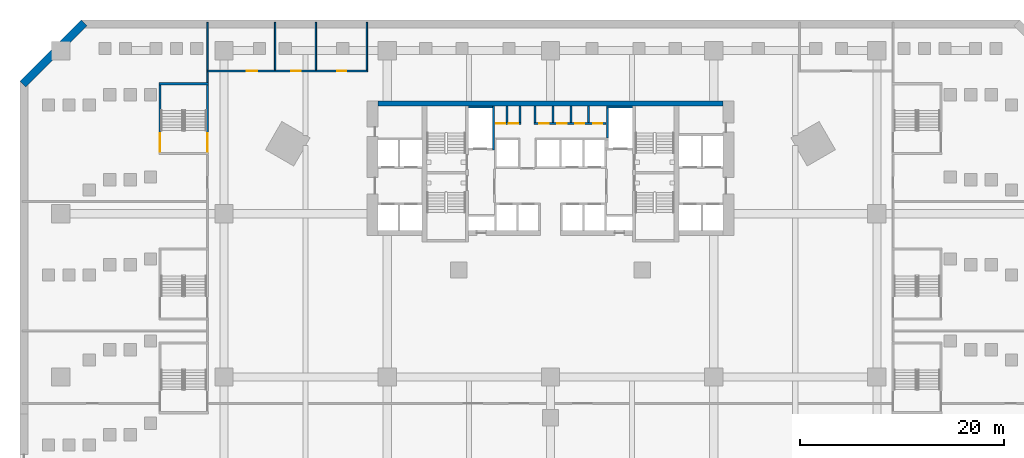
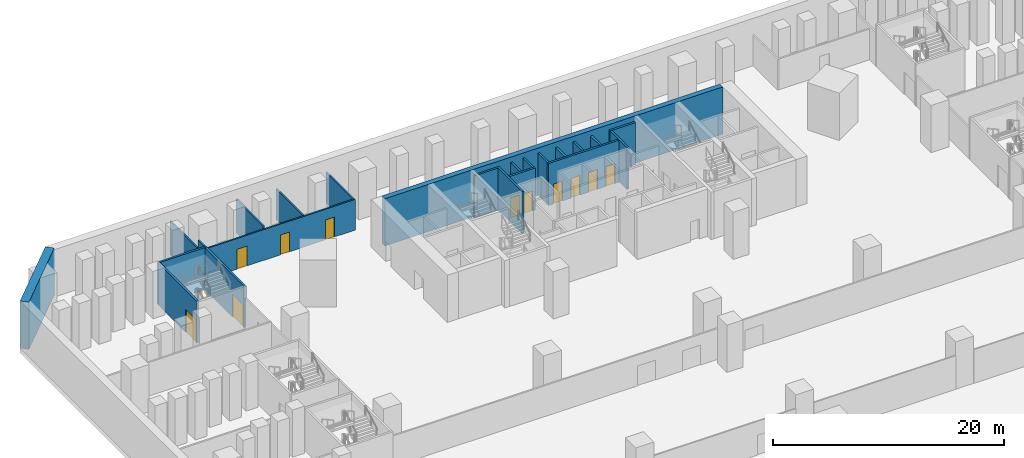
# One storey, part 10 of 24: 23 walls, 11 doors, 11 openings.
"""IFC4 building model written with IfcOpenShell, lengths in metres."""

from ifc_helpers import new_model, si_unit, direction, frame, frame_2d, origin, place, context, subcontext, project, spatial, rectangle, extrude, material, layer, layer_set, type_object, element, fill, save


model = new_model("IFC4")

# Units and contexts
model_context = context("Model", 3, precision=1e-05, world=origin(), true_north=direction((0.0, 1.0)))
body_context = subcontext(model_context, "Body", "Model", "MODEL_VIEW")
ifc_project = project(units=[si_unit("LENGTHUNIT", "METRE"), si_unit("AREAUNIT", "SQUARE_METRE"), si_unit("VOLUMEUNIT", "CUBIC_METRE"), si_unit("PLANEANGLEUNIT", "RADIAN"), si_unit("MASSUNIT", "GRAM", prefix="KILO")], contexts=[model_context])

# Site, building, storey
site_placement = place(None, origin())
site = spatial("IfcSite", under=ifc_project, at=site_placement, CompositionType="ELEMENT")
building_placement = place(site_placement, origin())
building = spatial("IfcBuilding", under=site, at=building_placement, Name="Calabash Gate Tower", CompositionType="ELEMENT")
storey_placement = place(building_placement, frame((0.0, 0.0, -5.0)))
storey = spatial("IfcBuildingStorey", under=building, at=storey_placement, Name="B1", CompositionType="ELEMENT", Elevation=-5.0)

# Walls
ifc_material_1 = material(Name="Gypsum board on steel studs, mineral wool", Category="steel")
ifc_layer_1 = layer(ifc_material_1, 0.199951171875)
ifc_layer_set_1 = layer_set([ifc_layer_1], Name="Core partition 200 gypsum board")
wall_type_1 = type_object("IfcWallType", Name="Core partition 200 gypsum board", PredefinedType="PARTITIONING", material=ifc_layer_set_1)
for number, where, z_axis, x_axis, name in (
    (1, (-4.25, 16.95263671875, 0.0), (0.0, 0.0, 1.0), (0.0, 1.0, 0.0), "Core partition"),
    (2, (-3.0, 16.95263671875, 0.0), (0.0, 0.0, 1.0), (0.0, 1.0, 0.0), "Core partition"),
    (3, (-1.5, 16.95263671875, 0.0), (0.0, 0.0, 1.0), (0.0, 1.0, 0.0), "Core partition"),
    (4, (0.25, 16.95263671875, 0.0), (0.0, 0.0, 1.0), (0.0, 1.0, 0.0), "Core partition"),
    (5, (2.0, 16.95263671875, 0.0), (0.0, 0.0, 1.0), (0.0, 1.0, 0.0), "Core partition"),
    (6, (3.75, 16.95263671875, 0.0), (0.0, 0.0, 1.0), (0.0, 1.0, 0.0), "Core partition"),
):
    element("IfcWall", number, at=place(storey_placement, frame(where, z_axis=z_axis, x_axis=x_axis)), inside=storey, type_object=wall_type_1, Name=name, PredefinedType="PARTITIONING", context=body_context, shape_type="SweptSolid", body=[
        extrude(rectangle(XDim=1.599853515625, YDim=0.199951171875, at=frame_2d((0.7998046875, 0.0))), origin(), (0.0, 0.0, 1.0), 4.449951171875),
    ])
ifc_material_2 = material(Name="Concrete C60/75", Category="concrete")
ifc_layer_2 = layer(ifc_material_2, 0.5)
ifc_layer_set_2 = layer_set([ifc_layer_2], Name="Core wall 500 Concrete C60/75")
wall_type_2 = type_object("IfcWallType", Name="Core wall 500 Concrete C60/75", PredefinedType="SHEAR", material=ifc_layer_set_2)
wall_1_placement = place(storey_placement, frame((-16.89990234375, 18.802490234375, 0.0), z_axis=(0.0, 0.0, 1.0), x_axis=(1.0, 0.0, 0.0)))
element("IfcWall", 7, at=wall_1_placement, inside=storey, type_object=wall_type_2, Name="Core wall B-N B1", PredefinedType="SHEAR", context=body_context, shape_type="SweptSolid", body=[
    extrude(rectangle(XDim=33.7998046875, YDim=0.5, at=frame_2d((16.89990234375, 0.0))), origin(), (0.0, 0.0, 1.0), 5.0),
])
ifc_material_3 = material(Name="Concrete C60/75", Category="concrete")
ifc_layer_3 = layer(ifc_material_3, 0.800048828125)
ifc_layer_set_3 = layer_set([ifc_layer_3], Name="Diaphragm wall 800 Concrete C60/75")
wall_type_3 = type_object("IfcWallType", Name="Diaphragm wall 800 Concrete C60/75", PredefinedType="SHEAR", material=ifc_layer_set_3)
wall_2_placement = place(storey_placement, frame((-45.717041015625, 26.717041015625, 0.0), z_axis=(0.0, 0.0, 1.0), x_axis=(-0.707106781187, -0.707106781187, 0.0)))
element("IfcWall", 8, at=wall_2_placement, inside=storey, type_object=wall_type_3, Name="Diaphragm wall B1", PredefinedType="SHEAR", context=body_context, shape_type="SweptSolid", body=[
    extrude(rectangle(XDim=8.4853515625, YDim=0.800048828125, at=frame_2d((4.24267578125, 0.0))), origin(), (0.0, 0.0, 1.0), 5.0),
])
ifc_material_4 = material(Name="Gypsum board on steel studs, mineral wool", Category="steel")
ifc_layer_4 = layer(ifc_material_4, 0.14990234375)
ifc_layer_set_4 = layer_set([ifc_layer_4], Name="Partition 150 gypsum board")
wall_type_4 = type_object("IfcWallType", Name="Partition 150 gypsum board", PredefinedType="PARTITIONING", material=ifc_layer_set_4)
wall_3_placement = place(storey_placement, frame((-33.60009765625, 20.889892578125, 0.0), z_axis=(0.0, 0.0, 1.0), x_axis=(0.0, 1.0, 0.0)))
element("IfcWall", 9, at=wall_3_placement, inside=storey, type_object=wall_type_4, Name="Partition", PredefinedType="PARTITIONING", context=body_context, shape_type="SweptSolid", body=[
    extrude(rectangle(XDim=1.03515625, YDim=0.14990234375, at=frame_2d((0.517578125, 0.0))), origin(), (0.0, 0.0, 1.0), 4.449951171875),
])

# Wall, openings, doors
wall_4_placement = place(storey_placement, frame((-33.675048828125, 22.0, 0.0), z_axis=(0.0, 0.0, 1.0), x_axis=(1.0, 0.0, 0.0)))
wall_4 = element("IfcWall", 10, at=wall_4_placement, inside=storey, type_object=wall_type_4, Name="Partition", PredefinedType="PARTITIONING", context=body_context, shape_type="SweptSolid", body=[
    extrude(rectangle(XDim=15.75, YDim=0.14990234375, at=frame_2d((7.875, 0.0))), origin(), (0.0, 0.0, 1.0), 3.25),
])
opening_1_placement = place(wall_4_placement, frame((8.27490234375, 0.0, 0.0)))
opening_1 = element("IfcOpeningElement", 11, at=opening_1_placement, cuts=wall_4, Name="Opening B1-042", PredefinedType="OPENING", context=body_context, shape_type="SweptSolid", body=[
    extrude(rectangle(XDim=0.89990234375, YDim=2.10009765625, at=frame_2d((0.449951171875, 1.050048828125))), frame((0.0, 0.0849609375, 0.0), z_axis=(0.0, -1.0, 0.0), x_axis=(1.0, 0.0, 0.0)), (0.0, 0.0, 1.0), 0.169921875),
])
opening_2_placement = place(wall_4_placement, frame((12.77490234375, 0.0, 0.0)))
opening_2 = element("IfcOpeningElement", 12, at=opening_2_placement, cuts=wall_4, Name="Opening B1-043", PredefinedType="OPENING", context=body_context, shape_type="SweptSolid", body=[
    extrude(rectangle(XDim=0.89990234375, YDim=2.10009765625, at=frame_2d((0.449951171875, 1.050048828125))), frame((0.0, 0.0849609375, 0.0), z_axis=(0.0, -1.0, 0.0), x_axis=(1.0, 0.0, 0.0)), (0.0, 0.0, 1.0), 0.169921875),
])
opening_3_placement = place(wall_4_placement, frame((3.925048828125, 0.0, 0.0)))
opening_3 = element("IfcOpeningElement", 13, at=opening_3_placement, cuts=wall_4, Name="Opening B1-044", PredefinedType="OPENING", context=body_context, shape_type="SweptSolid", body=[
    extrude(rectangle(XDim=1.0, YDim=2.10009765625, at=frame_2d((0.5, 1.050048828125))), frame((0.0, 0.0849609375, 0.0), z_axis=(0.0, -1.0, 0.0), x_axis=(1.0, 0.0, 0.0)), (0.0, 0.0, 1.0), 0.169921875),
])
ifc_material_5 = material(Name="Steel fire door set with fire-resisting glazing", Category="steel")
door_type_1 = type_object("IfcDoorType", Name="Fire door D11 1000x2100 FD60", OperationType="NOTDEFINED", PredefinedType="DOOR", material=ifc_material_5)
door_1_placement = place(opening_3_placement, origin())
door_1 = element("IfcDoor", 14, at=door_1_placement, inside=storey, type_object=door_type_1, Name="Station Staff Rest Room door", OperationType="SINGLE_SWING_RIGHT", OverallHeight=2.10009765625, OverallWidth=1.0, PredefinedType="DOOR", context=body_context, shape_type="SweptSolid", body=[
    extrude(rectangle(XDim=1.0, YDim=2.10009765625, at=frame_2d((0.5, 1.050048828125))), frame((0.0, 0.02490234375, 0.0), z_axis=(0.0, -1.0, 0.0), x_axis=(1.0, 0.0, 0.0)), (0.0, 0.0, 1.0), 0.050048828125),
])
fill(opening_3, door_1)
ifc_material_6 = material(Name="Steel fire door set with fire-resisting glazing", Category="steel")
door_type_2 = type_object("IfcDoorType", Name="Fire door D13 900x2100 FD30", OperationType="NOTDEFINED", PredefinedType="DOOR", material=ifc_material_6)
door_2_placement = place(opening_1_placement, origin())
door_2 = element("IfcDoor", 15, at=door_2_placement, inside=storey, type_object=door_type_2, Name="Accessible WC door", OperationType="SINGLE_SWING_LEFT", OverallHeight=2.10009765625, OverallWidth=0.89990234375, PredefinedType="DOOR", context=body_context, shape_type="SweptSolid", body=[
    extrude(rectangle(XDim=0.89990234375, YDim=2.10009765625, at=frame_2d((0.449951171875, 1.050048828125))), frame((0.0, 0.02490234375, 0.0), z_axis=(0.0, -1.0, 0.0), x_axis=(1.0, 0.0, 0.0)), (0.0, 0.0, 1.0), 0.050048828125),
])
fill(opening_1, door_2)
door_3_placement = place(opening_2_placement, origin())
door_3 = element("IfcDoor", 16, at=door_3_placement, inside=storey, type_object=door_type_2, Name="Public WC door", OperationType="SINGLE_SWING_RIGHT", OverallHeight=2.10009765625, OverallWidth=0.89990234375, PredefinedType="DOOR", context=body_context, shape_type="SweptSolid", body=[
    extrude(rectangle(XDim=0.89990234375, YDim=2.10009765625, at=frame_2d((0.449951171875, 1.050048828125))), frame((0.0, 0.02490234375, 0.0), z_axis=(0.0, -1.0, 0.0), x_axis=(1.0, 0.0, 0.0)), (0.0, 0.0, 1.0), 0.050048828125),
])
fill(opening_2, door_3)

# Walls
for number, where, z_axis, x_axis, name in (
    (17, (-33.60009765625, 22.074951171875, 0.0), (0.0, 0.0, 1.0), (0.0, 1.0, 0.0), "Partition"),
    (18, (-27.0, 22.074951171875, 0.0), (0.0, 0.0, 1.0), (0.0, 1.0, 0.0), "Partition"),
):
    element("IfcWall", number, at=place(storey_placement, frame(where, z_axis=z_axis, x_axis=x_axis)), inside=storey, type_object=wall_type_4, Name=name, PredefinedType="PARTITIONING", context=body_context, shape_type="SweptSolid", body=[
        extrude(rectangle(XDim=4.699951171875, YDim=0.14990234375, at=frame_2d((2.35009765625, 0.0))), origin(), (0.0, 0.0, 1.0), 3.550048828125),
    ])
for number, where, z_axis, x_axis, name in (
    (19, (-23.0, 22.074951171875, 0.0), (0.0, 0.0, 1.0), (0.0, 1.0, 0.0), "Partition"),
    (20, (-18.0, 22.074951171875, 0.0), (0.0, 0.0, 1.0), (0.0, 1.0, 0.0), "Partition"),
):
    element("IfcWall", number, at=place(storey_placement, frame(where, z_axis=z_axis, x_axis=x_axis)), inside=storey, type_object=wall_type_4, Name=name, PredefinedType="PARTITIONING", context=body_context, shape_type="SweptSolid", body=[
        extrude(rectangle(XDim=4.699951171875, YDim=0.14990234375, at=frame_2d((2.35009765625, 0.0))), origin(), (0.0, 0.0, 1.0), 3.25),
    ])
ifc_material_7 = material(Name="Concrete C40/50", Category="concrete")
ifc_layer_5 = layer(ifc_material_7, 0.199951171875)
ifc_layer_set_5 = layer_set([ifc_layer_5], Name="Shaft wall 200 Concrete C40/50")
wall_type_5 = type_object("IfcWallType", Name="Shaft wall 200 Concrete C40/50", PredefinedType="SOLIDWALL", material=ifc_layer_set_5)
wall_5_placement = place(storey_placement, frame((-5.60009765625, 14.252685546875, 0.0), z_axis=(0.0, 0.0, 1.0), x_axis=(0.0, 1.0, 0.0)))
element("IfcWall", 21, at=wall_5_placement, inside=storey, type_object=wall_type_5, Name="Shaft wall", PredefinedType="SOLIDWALL", context=body_context, shape_type="SweptSolid", body=[
    extrude(rectangle(XDim=4.2998046875, YDim=0.199951171875, at=frame_2d((2.14990234375, 0.0))), origin(), (0.0, 0.0, 1.0), 4.449951171875),
])
wall_6_placement = place(storey_placement, frame((5.60009765625, 15.45263671875, 0.0), z_axis=(0.0, 0.0, 1.0), x_axis=(0.0, 1.0, 0.0)))
element("IfcWall", 22, at=wall_6_placement, inside=storey, type_object=wall_type_5, Name="Shaft wall", PredefinedType="SOLIDWALL", context=body_context, shape_type="SweptSolid", body=[
    extrude(rectangle(XDim=2.89990234375, YDim=0.199951171875, at=frame_2d((1.449951171875, 0.0))), origin(), (0.0, 0.0, 1.0), 4.449951171875),
])

# Wall, openings, doors
wall_7_placement = place(storey_placement, frame((-5.449951171875, 16.8525390625, 0.0), z_axis=(0.0, 0.0, 1.0), x_axis=(1.0, 0.0, 0.0)))
wall_7 = element("IfcWall", 23, at=wall_7_placement, inside=storey, type_object=wall_type_5, Name="Shaft wall", PredefinedType="SOLIDWALL", context=body_context, shape_type="SweptSolid", body=[
    extrude(rectangle(XDim=2.550048828125, YDim=0.199951171875, at=frame_2d((1.27490234375, 0.0))), origin(), (0.0, 0.0, 1.0), 4.449951171875),
])
opening_4_placement = place(wall_7_placement, frame((0.125, 0.0, 0.0)))
opening_4 = element("IfcOpeningElement", 24, at=opening_4_placement, cuts=wall_7, Name="Opening B1-010", PredefinedType="OPENING", context=body_context, shape_type="SweptSolid", body=[
    extrude(rectangle(XDim=0.89990234375, YDim=2.10009765625, at=frame_2d((0.449951171875, 1.050048828125))), frame((0.0, 0.10986328125, 0.0), z_axis=(0.0, -1.0, 0.0), x_axis=(1.0, 0.0, 0.0)), (0.0, 0.0, 1.0), 0.219970703125),
])
opening_5_placement = place(wall_7_placement, frame((1.375, 0.0, 0.0)))
opening_5 = element("IfcOpeningElement", 25, at=opening_5_placement, cuts=wall_7, Name="Opening B1-011", PredefinedType="OPENING", context=body_context, shape_type="SweptSolid", body=[
    extrude(rectangle(XDim=0.89990234375, YDim=2.10009765625, at=frame_2d((0.449951171875, 1.050048828125))), frame((0.0, 0.10986328125, 0.0), z_axis=(0.0, -1.0, 0.0), x_axis=(1.0, 0.0, 0.0)), (0.0, 0.0, 1.0), 0.219970703125),
])
ifc_material_8 = material(Name="Steel fire door set with fire-resisting glazing", Category="steel")
door_type_3 = type_object("IfcDoorType", Name="Fire door D06 900x2100 FD60", OperationType="NOTDEFINED", PredefinedType="DOOR", material=ifc_material_8)
door_4_placement = place(opening_4_placement, origin())
door_4 = element("IfcDoor", 26, at=door_4_placement, inside=storey, type_object=door_type_3, Name="HV Transformer Room door", OperationType="SINGLE_SWING_LEFT", OverallHeight=2.10009765625, OverallWidth=0.89990234375, PredefinedType="DOOR", context=body_context, shape_type="SweptSolid", body=[
    extrude(rectangle(XDim=0.89990234375, YDim=2.10009765625, at=frame_2d((0.449951171875, 1.050048828125))), frame((0.0, 0.02490234375, 0.0), z_axis=(0.0, -1.0, 0.0), x_axis=(1.0, 0.0, 0.0)), (0.0, 0.0, 1.0), 0.050048828125),
])
fill(opening_4, door_4)
door_5_placement = place(opening_5_placement, origin())
door_5 = element("IfcDoor", 27, at=door_5_placement, inside=storey, type_object=door_type_3, Name="Chilled Water Plant door", OperationType="SINGLE_SWING_LEFT", OverallHeight=2.10009765625, OverallWidth=0.89990234375, PredefinedType="DOOR", context=body_context, shape_type="SweptSolid", body=[
    extrude(rectangle(XDim=0.89990234375, YDim=2.10009765625, at=frame_2d((0.449951171875, 1.050048828125))), frame((0.0, 0.02490234375, 0.0), z_axis=(0.0, -1.0, 0.0), x_axis=(1.0, 0.0, 0.0)), (0.0, 0.0, 1.0), 0.050048828125),
])
fill(opening_5, door_5)

wall_8_placement = place(storey_placement, frame((-1.60009765625, 16.8525390625, 0.0), z_axis=(0.0, 0.0, 1.0), x_axis=(1.0, 0.0, 0.0)))
wall_8 = element("IfcWall", 28, at=wall_8_placement, inside=storey, type_object=wall_type_5, Name="Shaft wall", PredefinedType="SOLIDWALL", context=body_context, shape_type="SweptSolid", body=[
    extrude(rectangle(XDim=7.050048828125, YDim=0.199951171875, at=frame_2d((3.52490234375, 0.0))), origin(), (0.0, 0.0, 1.0), 4.449951171875),
])
opening_6_placement = place(wall_8_placement, frame((0.52490234375, 0.0, 0.0)))
opening_6 = element("IfcOpeningElement", 29, at=opening_6_placement, cuts=wall_8, Name="Opening B1-012", PredefinedType="OPENING", context=body_context, shape_type="SweptSolid", body=[
    extrude(rectangle(XDim=0.89990234375, YDim=2.10009765625, at=frame_2d((0.449951171875, 1.050048828125))), frame((0.0, 0.10986328125, 0.0), z_axis=(0.0, -1.0, 0.0), x_axis=(1.0, 0.0, 0.0)), (0.0, 0.0, 1.0), 0.219970703125),
])
opening_7_placement = place(wall_8_placement, frame((2.27490234375, 0.0, 0.0)))
opening_7 = element("IfcOpeningElement", 30, at=opening_7_placement, cuts=wall_8, Name="Opening B1-013", PredefinedType="OPENING", context=body_context, shape_type="SweptSolid", body=[
    extrude(rectangle(XDim=0.89990234375, YDim=2.10009765625, at=frame_2d((0.449951171875, 1.050048828125))), frame((0.0, 0.10986328125, 0.0), z_axis=(0.0, -1.0, 0.0), x_axis=(1.0, 0.0, 0.0)), (0.0, 0.0, 1.0), 0.219970703125),
])
opening_8_placement = place(wall_8_placement, frame((4.02490234375, 0.0, 0.0)))
opening_8 = element("IfcOpeningElement", 31, at=opening_8_placement, cuts=wall_8, Name="Opening B1-014", PredefinedType="OPENING", context=body_context, shape_type="SweptSolid", body=[
    extrude(rectangle(XDim=0.89990234375, YDim=2.10009765625, at=frame_2d((0.449951171875, 1.050048828125))), frame((0.0, 0.10986328125, 0.0), z_axis=(0.0, -1.0, 0.0), x_axis=(1.0, 0.0, 0.0)), (0.0, 0.0, 1.0), 0.219970703125),
])
opening_9_placement = place(wall_8_placement, frame((5.77490234375, 0.0, 0.0)))
opening_9 = element("IfcOpeningElement", 32, at=opening_9_placement, cuts=wall_8, Name="Opening B1-015", PredefinedType="OPENING", context=body_context, shape_type="SweptSolid", body=[
    extrude(rectangle(XDim=0.89990234375, YDim=2.10009765625, at=frame_2d((0.449951171875, 1.050048828125))), frame((0.0, 0.10986328125, 0.0), z_axis=(0.0, -1.0, 0.0), x_axis=(1.0, 0.0, 0.0)), (0.0, 0.0, 1.0), 0.219970703125),
])
door_6_placement = place(opening_6_placement, origin())
door_6 = element("IfcDoor", 33, at=door_6_placement, inside=storey, type_object=door_type_3, Name="Mechanical Pump Room door", OperationType="SINGLE_SWING_LEFT", OverallHeight=2.10009765625, OverallWidth=0.89990234375, PredefinedType="DOOR", context=body_context, shape_type="SweptSolid", body=[
    extrude(rectangle(XDim=0.89990234375, YDim=2.10009765625, at=frame_2d((0.449951171875, 1.050048828125))), frame((0.0, 0.02490234375, 0.0), z_axis=(0.0, -1.0, 0.0), x_axis=(1.0, 0.0, 0.0)), (0.0, 0.0, 1.0), 0.050048828125),
])
fill(opening_6, door_6)
door_7_placement = place(opening_7_placement, origin())
door_7 = element("IfcDoor", 34, at=door_7_placement, inside=storey, type_object=door_type_3, Name="Heat Exchanger Plant Room door", OperationType="SINGLE_SWING_LEFT", OverallHeight=2.10009765625, OverallWidth=0.89990234375, PredefinedType="DOOR", context=body_context, shape_type="SweptSolid", body=[
    extrude(rectangle(XDim=0.89990234375, YDim=2.10009765625, at=frame_2d((0.449951171875, 1.050048828125))), frame((0.0, 0.02490234375, 0.0), z_axis=(0.0, -1.0, 0.0), x_axis=(1.0, 0.0, 0.0)), (0.0, 0.0, 1.0), 0.050048828125),
])
fill(opening_7, door_7)
door_8_placement = place(opening_8_placement, origin())
door_8 = element("IfcDoor", 35, at=door_8_placement, inside=storey, type_object=door_type_3, Name="Mechanical Fan Room door", OperationType="SINGLE_SWING_RIGHT", OverallHeight=2.10009765625, OverallWidth=0.89990234375, PredefinedType="DOOR", context=body_context, shape_type="SweptSolid", body=[
    extrude(rectangle(XDim=0.89990234375, YDim=2.10009765625, at=frame_2d((0.449951171875, 1.050048828125))), frame((0.0, 0.02490234375, 0.0), z_axis=(0.0, -1.0, 0.0), x_axis=(1.0, 0.0, 0.0)), (0.0, 0.0, 1.0), 0.050048828125),
])
fill(opening_8, door_8)
door_9_placement = place(opening_9_placement, origin())
door_9 = element("IfcDoor", 36, at=door_9_placement, inside=storey, type_object=door_type_3, Name="Plant BMS Room door", OperationType="SINGLE_SWING_RIGHT", OverallHeight=2.10009765625, OverallWidth=0.89990234375, PredefinedType="DOOR", context=body_context, shape_type="SweptSolid", body=[
    extrude(rectangle(XDim=0.89990234375, YDim=2.10009765625, at=frame_2d((0.449951171875, 1.050048828125))), frame((0.0, 0.02490234375, 0.0), z_axis=(0.0, -1.0, 0.0), x_axis=(1.0, 0.0, 0.0)), (0.0, 0.0, 1.0), 0.050048828125),
])
fill(opening_9, door_9)

# Walls
wall_9_placement = place(storey_placement, frame((-8.050048828125, 18.45263671875, 0.0), z_axis=(0.0, 0.0, 1.0), x_axis=(1.0, 0.0, 0.0)))
element("IfcWall", 37, at=wall_9_placement, inside=storey, type_object=wall_type_5, Name="Shaft wall", PredefinedType="SOLIDWALL", context=body_context, shape_type="SweptSolid", body=[
    extrude(rectangle(XDim=2.35009765625, YDim=0.199951171875, at=frame_2d((1.175048828125, 0.0))), origin(), (0.0, 0.0, 1.0), 4.449951171875),
])
wall_10_placement = place(storey_placement, frame((5.5, 18.45263671875, 0.0), z_axis=(0.0, 0.0, 1.0), x_axis=(1.0, 0.0, 0.0)))
element("IfcWall", 38, at=wall_10_placement, inside=storey, type_object=wall_type_5, Name="Shaft wall", PredefinedType="SOLIDWALL", context=body_context, shape_type="SweptSolid", body=[
    extrude(rectangle(XDim=2.550048828125, YDim=0.199951171875, at=frame_2d((1.27490234375, 0.0))), origin(), (0.0, 0.0, 1.0), 4.449951171875),
])
ifc_material_9 = material(Name="Concrete C40/50", Category="concrete")
ifc_layer_6 = layer(ifc_material_9, 0.199951171875)
ifc_layer_set_6 = layer_set([ifc_layer_6], Name="Stair wall 200 Concrete C40/50")
wall_type_6 = type_object("IfcWallType", Name="Stair wall 200 Concrete C40/50", PredefinedType="SOLIDWALL", material=ifc_layer_set_6)
wall_11_placement = place(storey_placement, frame((-38.3701171875, 20.75, 0.0), z_axis=(0.0, 0.0, 1.0), x_axis=(1.0, 0.0, 0.0)))
element("IfcWall", 39, at=wall_11_placement, inside=storey, type_object=wall_type_6, Name="Stair wall", PredefinedType="SOLIDWALL", context=body_context, shape_type="SweptSolid", body=[
    extrude(rectangle(XDim=4.8701171875, YDim=0.199951171875, at=frame_2d((2.43505859375, 0.0))), origin(), (0.0, 0.0, 1.0), 4.449951171875),
])

# Wall, opening, door
wall_12_placement = place(storey_placement, frame((-38.27001953125, 14.0, 0.0), z_axis=(0.0, 0.0, 1.0), x_axis=(0.0, 1.0, 0.0)))
wall_12 = element("IfcWall", 40, at=wall_12_placement, inside=storey, type_object=wall_type_6, Name="Stair wall", PredefinedType="SOLIDWALL", context=body_context, shape_type="SweptSolid", body=[
    extrude(rectangle(XDim=6.64990234375, YDim=0.199951171875, at=frame_2d((3.324951171875, 0.0))), origin(), (0.0, 0.0, 1.0), 4.449951171875),
])
opening_10_placement = place(wall_12_placement, frame((0.10009765625, 0.0, 0.0)))
opening_10 = element("IfcOpeningElement", 41, at=opening_10_placement, cuts=wall_12, Name="Opening B1-031", PredefinedType="OPENING", context=body_context, shape_type="SweptSolid", body=[
    extrude(rectangle(XDim=1.800048828125, YDim=2.39990234375, at=frame_2d((0.89990234375, 1.199951171875))), frame((0.0, 0.10986328125, 0.0), z_axis=(0.0, -1.0, 0.0), x_axis=(1.0, 0.0, 0.0)), (0.0, 0.0, 1.0), 0.219970703125),
])
ifc_material_10 = material(Name="Steel fire door set with fire-resisting glazing", Category="steel")
door_type_4 = type_object("IfcDoorType", Name="Double fire door D16 1800x2400 FD90", OperationType="DOUBLE_DOOR_SINGLE_SWING", PredefinedType="DOOR", material=ifc_material_10)
door_10_placement = place(opening_10_placement, origin())
door_10 = element("IfcDoor", 42, at=door_10_placement, inside=storey, type_object=door_type_4, Name="Exit stair door PS5", OperationType="DOUBLE_DOOR_SINGLE_SWING", OverallHeight=2.39990234375, OverallWidth=1.800048828125, PredefinedType="DOOR", context=body_context, shape_type="SweptSolid", body=[
    extrude(rectangle(XDim=1.800048828125, YDim=2.39990234375, at=frame_2d((0.89990234375, 1.199951171875))), frame((0.0, 0.02490234375, 0.0), z_axis=(0.0, -1.0, 0.0), x_axis=(1.0, 0.0, 0.0)), (0.0, 0.0, 1.0), 0.050048828125),
])
fill(opening_10, door_10)

wall_13_placement = place(storey_placement, frame((-33.60009765625, 14.0, 0.0), z_axis=(0.0, 0.0, 1.0), x_axis=(0.0, 1.0, 0.0)))
wall_13 = element("IfcWall", 43, at=wall_13_placement, inside=storey, type_object=wall_type_6, Name="Stair wall", PredefinedType="SOLIDWALL", context=body_context, shape_type="SweptSolid", body=[
    extrude(rectangle(XDim=6.64990234375, YDim=0.199951171875, at=frame_2d((3.324951171875, 0.0))), origin(), (0.0, 0.0, 1.0), 4.449951171875),
])
opening_11_placement = place(wall_13_placement, frame((0.10009765625, 0.0, 0.0)))
opening_11 = element("IfcOpeningElement", 44, at=opening_11_placement, cuts=wall_13, Name="Opening B1-030", PredefinedType="OPENING", context=body_context, shape_type="SweptSolid", body=[
    extrude(rectangle(XDim=1.800048828125, YDim=2.39990234375, at=frame_2d((0.89990234375, 1.199951171875))), frame((0.0, 0.10986328125, 0.0), z_axis=(0.0, -1.0, 0.0), x_axis=(1.0, 0.0, 0.0)), (0.0, 0.0, 1.0), 0.219970703125),
])
door_11_placement = place(opening_11_placement, origin())
door_11 = element("IfcDoor", 45, at=door_11_placement, inside=storey, type_object=door_type_4, Name="Exit stair door PS5", OperationType="DOUBLE_DOOR_SINGLE_SWING", OverallHeight=2.39990234375, OverallWidth=1.800048828125, PredefinedType="DOOR", context=body_context, shape_type="SweptSolid", body=[
    extrude(rectangle(XDim=1.800048828125, YDim=2.39990234375, at=frame_2d((0.89990234375, 1.199951171875))), frame((0.0, 0.02490234375, 0.0), z_axis=(0.0, -1.0, 0.0), x_axis=(1.0, 0.0, 0.0)), (0.0, 0.0, 1.0), 0.050048828125),
])
fill(opening_11, door_11)

save(model, "model.ifc")
